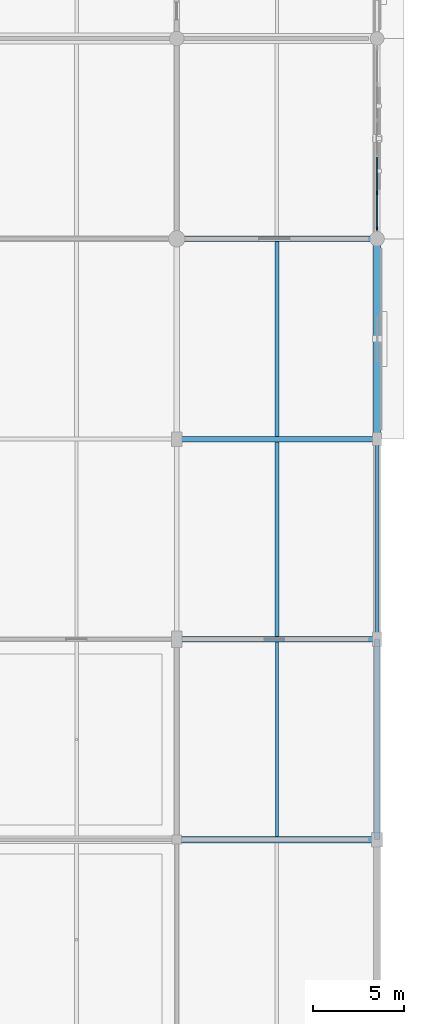
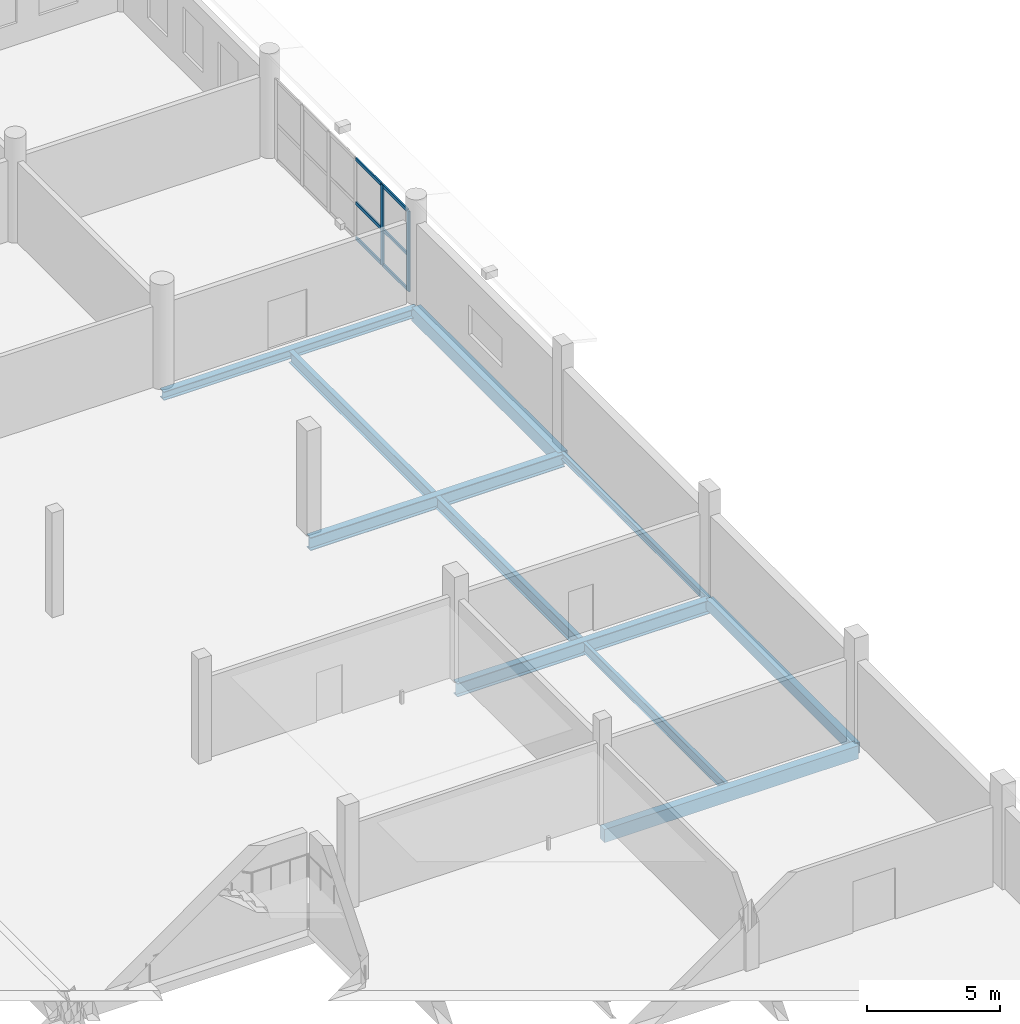
# One storey, part 71 of 143: 10 beams, 8 members, 1 element without a shape of its own.
"""IFC4 building model written with IfcOpenShell, lengths in metres."""

from ifc_helpers import new_model, si_unit, direction, frame, origin, origin_2d, place, context, subcontext, project, spatial, rectangle, hollow_rectangle, i_section, extrude, material, material_profile, profile_set, type_object, element, aggregate, save


model = new_model("IFC4")

# Units and contexts
model_context = context("Model", 3, precision=1e-05, world=origin(), true_north=direction((0.0, 1.0)))
body_context = subcontext(model_context, "Body", "Model", "MODEL_VIEW")
ifc_project = project(units=[si_unit("LENGTHUNIT", "METRE"), si_unit("AREAUNIT", "SQUARE_METRE"), si_unit("VOLUMEUNIT", "CUBIC_METRE"), si_unit("PLANEANGLEUNIT", "RADIAN"), si_unit("MASSUNIT", "GRAM", prefix="KILO")], contexts=[model_context])

# Site, building, storey
site_placement = place(None, origin())
site = spatial("IfcSite", under=ifc_project, at=site_placement, CompositionType="ELEMENT")
building_placement = place(site_placement, origin())
building = spatial("IfcBuilding", under=site, at=building_placement, Name="Luwafu Chhajja Arena", CompositionType="ELEMENT")
storey_placement = place(building_placement, frame((0.0, 0.0, 5.39990234375)))
storey = spatial("IfcBuildingStorey", under=building, at=storey_placement, Name="L01", CompositionType="ELEMENT", Elevation=5.39990234375)

# Beam
ifc_material_1 = material(Name="Concrete C35/45", Category="concrete")
ifc_material_profile_1 = material_profile(ifc_material_1, rectangle(XDim=0.35009765625, YDim=0.60009765625, at=origin_2d()), Name="RC 350x600")
ifc_profile_set_1 = profile_set([ifc_material_profile_1], Name="Concrete C35/45")
beam_type_1 = type_object("IfcBeamType", Name="Arcade Tie Beam RC 350x600", PredefinedType="BEAM", material=ifc_profile_set_1)
beam_1_placement = place(storey_placement, frame((187.0, 66.0, -0.6298828125), z_axis=(1.0, 0.0, 0.0), x_axis=(0.0, 1.0, 0.0)))
element("IfcBeam", 1, at=beam_1_placement, inside=storey, type_object=beam_type_1, Name="L01 Grid Beam 17-18/G", PredefinedType="BEAM", context=body_context, shape_type="SweptSolid", body=[
    extrude(rectangle(XDim=0.35009765625, YDim=0.60009765625, at=origin_2d()), origin(), (0.0, 0.0, 1.0), 11.0),
])

# Curtain wall, members
ifc_material_2 = material(Name="Anodised bronze aluminium", Category="aluminium")
curtain_wall_type = type_object("IfcCurtainWallType", Name="Hospitality Ring Curtain Wall", PredefinedType="USERDEFINED", material=ifc_material_2)
curtain_wall_placement = place(storey_placement, origin())
curtain_wall = element("IfcCurtainWall", 2, at=curtain_wall_placement, inside=storey, type_object=curtain_wall_type, Name="L01 Curtain Wall CWG-L01-V17_09", ObjectType="CURTAIN WALL", PredefinedType="USERDEFINED")
ifc_material_profile_2 = material_profile(ifc_material_2, rectangle(XDim=0.06494140625, YDim=0.199951171875, at=origin_2d()), Name="CWM 65x200")
ifc_profile_set_2 = profile_set([ifc_material_profile_2], Name="Anodised bronze aluminium")
member_type_1 = type_object("IfcMemberType", Name="Bronze Curtain Wall Mullion 65x200", PredefinedType="MULLION", material=ifc_profile_set_2)
member_1_placement = place(storey_placement, frame((198.0, 99.572509765625, 0.030029296875), z_axis=(0.0, 0.0, 1.0), x_axis=(-1.0, 0.0, 0.0)))
member_1 = element("IfcMember", 3, at=member_1_placement, type_object=member_type_1, Name="CW-02 mullion 1", PredefinedType="MULLION", context=body_context, shape_type="SweptSolid", body=[
    extrude(rectangle(XDim=0.06494140625, YDim=0.199951171875, at=origin_2d()), origin(), (0.0, 0.0, 1.0), 3.675048828125),
])
member_2_placement = place(storey_placement, frame((198.0, 101.529052734375, 0.030029296875), z_axis=(0.0, 0.0, 1.0), x_axis=(-1.0, 0.0, 0.0)))
member_2 = element("IfcMember", 4, at=member_2_placement, type_object=member_type_1, Name="CW-02 mullion 2", PredefinedType="MULLION", context=body_context, shape_type="SweptSolid", body=[
    extrude(rectangle(XDim=0.06494140625, YDim=0.199951171875, at=origin_2d()), origin(), (0.0, 0.0, 1.0), 3.675048828125),
])
ifc_material_profile_3 = material_profile(ifc_material_2, rectangle(XDim=0.06494140625, YDim=0.14990234375, at=origin_2d()), Name="CWT 65x150")
ifc_profile_set_3 = profile_set([ifc_material_profile_3], Name="Anodised bronze aluminium")
member_type_2 = type_object("IfcMemberType", Name="Bronze Curtain Wall Transom 65x150", PredefinedType="USERDEFINED", material=ifc_profile_set_3)
member_3_placement = place(storey_placement, frame((198.0, 99.60498046875, 0.0625), z_axis=(0.0, 1.0, 0.0), x_axis=(-1.0, 0.0, 0.0)))
member_3 = element("IfcMember", 5, at=member_3_placement, type_object=member_type_2, Name="CW-02 transom 1.1", ObjectType="TRANSOM", PredefinedType="USERDEFINED", context=body_context, shape_type="SweptSolid", body=[
    extrude(rectangle(XDim=0.06494140625, YDim=0.14990234375, at=origin_2d()), origin(), (0.0, 0.0, 1.0), 1.8916015625),
])
member_4_placement = place(storey_placement, frame((198.0, 99.60498046875, 1.66748046875), z_axis=(0.0, 1.0, 0.0), x_axis=(-1.0, 0.0, 0.0)))
member_4 = element("IfcMember", 6, at=member_4_placement, type_object=member_type_2, Name="CW-02 transom 1.2", ObjectType="TRANSOM", PredefinedType="USERDEFINED", context=body_context, shape_type="SweptSolid", body=[
    extrude(rectangle(XDim=0.06494140625, YDim=0.14990234375, at=origin_2d()), origin(), (0.0, 0.0, 1.0), 1.8916015625),
])
member_5_placement = place(storey_placement, frame((198.0, 99.60498046875, 3.672607421875), z_axis=(0.0, 1.0, 0.0), x_axis=(-1.0, 0.0, 0.0)))
member_5 = element("IfcMember", 7, at=member_5_placement, type_object=member_type_2, Name="CW-02 transom 1.3", ObjectType="TRANSOM", PredefinedType="USERDEFINED", context=body_context, shape_type="SweptSolid", body=[
    extrude(rectangle(XDim=0.06494140625, YDim=0.14990234375, at=origin_2d()), origin(), (0.0, 0.0, 1.0), 1.8916015625),
])
member_6_placement = place(storey_placement, frame((198.0, 101.5615234375, 0.0625), z_axis=(0.0, 1.0, 0.0), x_axis=(-1.0, 0.0, 0.0)))
member_6 = element("IfcMember", 8, at=member_6_placement, type_object=member_type_2, Name="CW-02 transom 2.1", ObjectType="TRANSOM", PredefinedType="USERDEFINED", context=body_context, shape_type="SweptSolid", body=[
    extrude(rectangle(XDim=0.06494140625, YDim=0.14990234375, at=origin_2d()), origin(), (0.0, 0.0, 1.0), 1.924072265625),
])
member_7_placement = place(storey_placement, frame((198.0, 101.5615234375, 1.66748046875), z_axis=(0.0, 1.0, 0.0), x_axis=(-1.0, 0.0, 0.0)))
member_7 = element("IfcMember", 9, at=member_7_placement, type_object=member_type_2, Name="CW-02 transom 2.2", ObjectType="TRANSOM", PredefinedType="USERDEFINED", context=body_context, shape_type="SweptSolid", body=[
    extrude(rectangle(XDim=0.06494140625, YDim=0.14990234375, at=origin_2d()), origin(), (0.0, 0.0, 1.0), 1.924072265625),
])
member_8_placement = place(storey_placement, frame((198.0, 101.5615234375, 3.672607421875), z_axis=(0.0, 1.0, 0.0), x_axis=(-1.0, 0.0, 0.0)))
member_8 = element("IfcMember", 10, at=member_8_placement, type_object=member_type_2, Name="CW-02 transom 2.3", ObjectType="TRANSOM", PredefinedType="USERDEFINED", context=body_context, shape_type="SweptSolid", body=[
    extrude(rectangle(XDim=0.06494140625, YDim=0.14990234375, at=origin_2d()), origin(), (0.0, 0.0, 1.0), 1.924072265625),
])
aggregate(curtain_wall, [member_1, member_2, member_3, member_4, member_5, member_6, member_7, member_8])

# Beams
ifc_material_3 = material(Name="Steel S355", Category="steel")
ifc_material_profile_4 = material_profile(ifc_material_3, i_section(OverallWidth=0.165771484375, OverallDepth=0.306640625, WebThickness=0.006591796875, FlangeThickness=0.01171875, at=origin_2d()), Name="UB 305x165x46")
ifc_profile_set_4 = profile_set([ifc_material_profile_4], Name="Steel S355")
beam_type_2 = type_object("IfcBeamType", Name="Concourse Edge Spandrel Beam UB 305x165x46", PredefinedType="SPANDREL", material=ifc_profile_set_4)
beam_2_placement = place(storey_placement, frame((198.0, 77.0, -0.483154296875), z_axis=(0.0, 1.0, 0.0), x_axis=(-1.0, 0.0, 0.0)))
element("IfcBeam", 11, at=beam_2_placement, inside=storey, type_object=beam_type_2, Name="L01 Grid Beam 18/H-J", PredefinedType="SPANDREL", context=body_context, shape_type="SweptSolid", body=[
    extrude(i_section(OverallWidth=0.165771484375, OverallDepth=0.306640625, WebThickness=0.006591796875, FlangeThickness=0.01171875, at=origin_2d()), origin(), (0.0, 0.0, 1.0), 11.0),
])
ifc_material_profile_5 = material_profile(ifc_material_3, i_section(OverallWidth=0.15283203125, OverallDepth=0.45458984375, WebThickness=0.008056640625, FlangeThickness=0.01318359375, at=origin_2d()), Name="UB 457x152x60")
ifc_profile_set_5 = profile_set([ifc_material_profile_5], Name="Steel S355")
beam_type_3 = type_object("IfcBeamType", Name="Floor Joist UB 457x152x60", PredefinedType="JOIST", material=ifc_profile_set_5)
beam_3_placement = place(storey_placement, frame((192.5, 66.175048828125, -0.55712890625), z_axis=(0.0, 1.0, 0.0), x_axis=(-1.0, 0.0, 0.0)))
element("IfcBeam", 12, at=beam_3_placement, inside=storey, type_object=beam_type_3, Name="L01 Secondary Joist 17-18/G", PredefinedType="JOIST", context=body_context, shape_type="SweptSolid", body=[
    extrude(i_section(OverallWidth=0.15283203125, OverallDepth=0.45458984375, WebThickness=0.008056640625, FlangeThickness=0.01318359375, at=origin_2d()), origin(), (0.0, 0.0, 1.0), 10.67138671875),
])
ifc_material_profile_6 = material_profile(ifc_material_3, i_section(OverallWidth=0.2099609375, OverallDepth=0.53662109375, WebThickness=0.0107421875, FlangeThickness=0.017333984375, at=origin_2d()), Name="UB 533x210x101")
ifc_profile_set_6 = profile_set([ifc_material_profile_6], Name="Steel S355")
beam_type_4 = type_object("IfcBeamType", Name="Floor Joist UB 533x210x101", PredefinedType="JOIST", material=ifc_profile_set_6)
beam_4_placement = place(storey_placement, frame((192.5, 77.153564453125, -0.59814453125), z_axis=(0.0, 1.0, 0.0), x_axis=(-1.0, 0.0, 0.0)))
element("IfcBeam", 13, at=beam_4_placement, inside=storey, type_object=beam_type_4, Name="L01 Secondary Joist 17-18/H", PredefinedType="JOIST", context=body_context, shape_type="SweptSolid", body=[
    extrude(i_section(OverallWidth=0.2099609375, OverallDepth=0.53662109375, WebThickness=0.0107421875, FlangeThickness=0.017333984375, at=origin_2d()), origin(), (0.0, 0.0, 1.0), 10.696533203125),
])
ifc_material_profile_7 = material_profile(ifc_material_3, i_section(OverallWidth=0.209228515625, OverallDepth=0.533203125, WebThickness=0.010009765625, FlangeThickness=0.015625, at=origin_2d()), Name="UB 533x210x92")
ifc_profile_set_7 = profile_set([ifc_material_profile_7], Name="Steel S355")
beam_type_5 = type_object("IfcBeamType", Name="Floor Joist UB 533x210x92", PredefinedType="JOIST", material=ifc_profile_set_7)
beam_5_placement = place(storey_placement, frame((192.5, 88.14990234375, -0.596435546875), z_axis=(0.0, 1.0, 0.0), x_axis=(-1.0, 0.0, 0.0)))
element("IfcBeam", 14, at=beam_5_placement, inside=storey, type_object=beam_type_5, Name="L01 Secondary Joist 17-18/J", PredefinedType="JOIST", context=body_context, shape_type="SweptSolid", body=[
    extrude(i_section(OverallWidth=0.209228515625, OverallDepth=0.533203125, WebThickness=0.010009765625, FlangeThickness=0.015625, at=origin_2d()), origin(), (0.0, 0.0, 1.0), 10.7001953125),
])
ifc_material_profile_8 = material_profile(ifc_material_3, hollow_rectangle(XDim=0.300048828125, YDim=0.5, WallThickness=0.02001953125, at=origin_2d()), Name="RHS 500x300x20")
ifc_profile_set_8 = profile_set([ifc_material_profile_8], Name="Steel S355")
beam_type_6 = type_object("IfcBeamType", Name="Pleated Drum Spandrel Beam RHS 500x300", PredefinedType="SPANDREL", material=ifc_profile_set_8)
beam_6_placement = place(storey_placement, frame((198.0, 66.0, -0.579833984375), z_axis=(0.0, 1.0, 0.0), x_axis=(-1.0, 0.0, 0.0)))
element("IfcBeam", 15, at=beam_6_placement, inside=storey, type_object=beam_type_6, Name="L01 Grid Beam 18/G-H", PredefinedType="SPANDREL", context=body_context, shape_type="SweptSolid", body=[
    extrude(hollow_rectangle(XDim=0.300048828125, YDim=0.5, WallThickness=0.02001953125, at=origin_2d()), origin(), (0.0, 0.0, 1.0), 11.0),
])
ifc_material_profile_9 = material_profile(ifc_material_1, rectangle(XDim=0.39990234375, YDim=0.60009765625, at=origin_2d()), Name="RC 400x600")
ifc_profile_set_9 = profile_set([ifc_material_profile_9], Name="Concrete C35/45")
beam_type_7 = type_object("IfcBeamType", Name="Podium Perimeter Spandrel RC 400x600", PredefinedType="SPANDREL", material=ifc_profile_set_9)
beam_7_placement = place(storey_placement, frame((198.0, 88.0, -0.6298828125), z_axis=(0.0, 1.0, 0.0), x_axis=(-1.0, 0.0, 0.0)))
element("IfcBeam", 16, at=beam_7_placement, inside=storey, type_object=beam_type_7, Name="L01 Grid Beam 18/J-K", PredefinedType="SPANDREL", context=body_context, shape_type="SweptSolid", body=[
    extrude(rectangle(XDim=0.39990234375, YDim=0.60009765625, at=origin_2d()), origin(), (0.0, 0.0, 1.0), 11.0),
])
ifc_material_profile_10 = material_profile(ifc_material_3, i_section(OverallWidth=0.300048828125, OverallDepth=0.60009765625, WebThickness=0.015380859375, FlangeThickness=0.030029296875, at=origin_2d()), Name="HEB 600")
ifc_profile_set_10 = profile_set([ifc_material_profile_10], Name="Steel S355")
beam_type_8 = type_object("IfcBeamType", Name="Steel Gallery Girder HEB 600", PredefinedType="BEAM", material=ifc_profile_set_10)
beam_8_placement = place(storey_placement, frame((187.0, 88.0, -0.6298828125), z_axis=(1.0, 0.0, 0.0), x_axis=(0.0, 1.0, 0.0)))
element("IfcBeam", 17, at=beam_8_placement, inside=storey, type_object=beam_type_8, Name="L01 Grid Beam 17-18/J", PredefinedType="BEAM", context=body_context, shape_type="SweptSolid", body=[
    extrude(i_section(OverallWidth=0.300048828125, OverallDepth=0.60009765625, WebThickness=0.015380859375, FlangeThickness=0.030029296875, at=origin_2d()), origin(), (0.0, 0.0, 1.0), 11.0),
])
ifc_material_profile_11 = material_profile(ifc_material_3, i_section(OverallWidth=0.30712890625, OverallDepth=0.6201171875, WebThickness=0.01416015625, FlangeThickness=0.023681640625, at=origin_2d()), Name="UB 610x305x179")
ifc_profile_set_11 = profile_set([ifc_material_profile_11], Name="Steel S355")
beam_type_9 = type_object("IfcBeamType", Name="Steel Hospitality Girder UB 610x305x179", PredefinedType="BEAM", material=ifc_profile_set_11)
beam_9_placement = place(storey_placement, frame((187.0, 77.0, -0.639892578125), z_axis=(1.0, 0.0, 0.0), x_axis=(0.0, 1.0, 0.0)))
element("IfcBeam", 18, at=beam_9_placement, inside=storey, type_object=beam_type_9, Name="L01 Grid Beam 17-18/H", PredefinedType="BEAM", context=body_context, shape_type="SweptSolid", body=[
    extrude(i_section(OverallWidth=0.30712890625, OverallDepth=0.6201171875, WebThickness=0.01416015625, FlangeThickness=0.023681640625, at=origin_2d()), origin(), (0.0, 0.0, 1.0), 11.0),
])
ifc_material_profile_12 = material_profile(ifc_material_3, i_section(OverallWidth=0.300048828125, OverallDepth=0.39990234375, WebThickness=0.013427734375, FlangeThickness=0.02392578125, at=origin_2d()), Name="HEB 400")
ifc_profile_set_12 = profile_set([ifc_material_profile_12], Name="Steel S355")
beam_type_10 = type_object("IfcBeamType", Name="Steel Rigging Grid Beam HEB 400", PredefinedType="BEAM", material=ifc_profile_set_12)
beam_10_placement = place(storey_placement, frame((187.0, 99.0, -0.52978515625), z_axis=(1.0, 0.0, 0.0), x_axis=(0.0, 1.0, 0.0)))
element("IfcBeam", 19, at=beam_10_placement, inside=storey, type_object=beam_type_10, Name="L01 Grid Beam 17-18/K", PredefinedType="BEAM", context=body_context, shape_type="SweptSolid", body=[
    extrude(i_section(OverallWidth=0.300048828125, OverallDepth=0.39990234375, WebThickness=0.013427734375, FlangeThickness=0.02392578125, at=origin_2d()), origin(), (0.0, 0.0, 1.0), 11.0),
])

save(model, "model.ifc")
